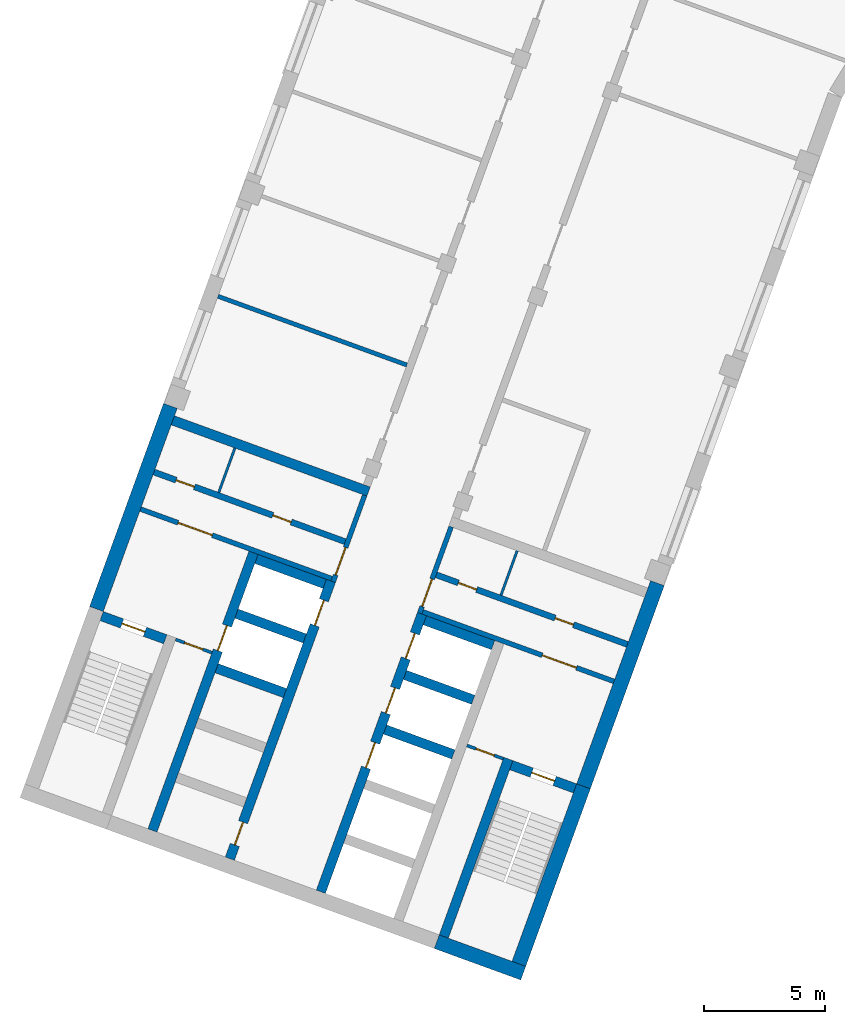
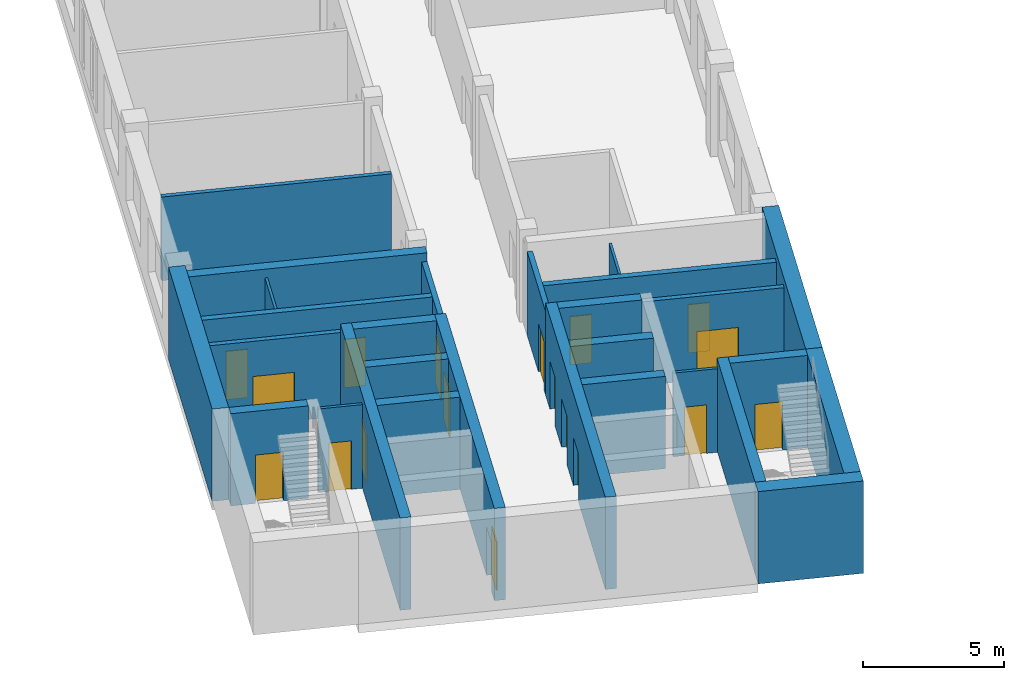
# One storey, part 4 of 11: 28 walls, 18 doors, 18 openings.
"""IFC4 building model written with IfcOpenShell, lengths in metres."""

from ifc_helpers import new_model, si_unit, direction, frame, frame_2d, origin, place, context, subcontext, project, spatial, rectangle, extrude, material, layer, layer_set, type_object, element, fill, save


model = new_model("IFC4")

# Units and contexts
model_context = context("Model", 3, precision=1e-05, world=origin(), true_north=direction((0.0, 1.0)))
body_context = subcontext(model_context, "Body", "Model", "MODEL_VIEW")
ifc_project = project(units=[si_unit("LENGTHUNIT", "METRE"), si_unit("AREAUNIT", "SQUARE_METRE"), si_unit("VOLUMEUNIT", "CUBIC_METRE"), si_unit("PLANEANGLEUNIT", "RADIAN"), si_unit("MASSUNIT", "GRAM", prefix="KILO")], contexts=[model_context])

# Site, building, storey
site_placement = place(None, origin())
site = spatial("IfcSite", under=ifc_project, at=site_placement, CompositionType="ELEMENT")
building_placement = place(site_placement, origin())
building = spatial("IfcBuilding", under=site, at=building_placement, Name="Skarvind Civic Tower", CompositionType="ELEMENT")
storey_placement = place(building_placement, frame((0.0, 0.0, 113.0)))
storey = spatial("IfcBuildingStorey", under=building, at=storey_placement, Name="L26", CompositionType="ELEMENT", Elevation=113.0)

# Wall
ifc_material_1 = material(Name="Acoustic gypsum board on steel studs", Category="steel")
ifc_layer_1 = layer(ifc_material_1, 0.175048828125)
ifc_layer_set_1 = layer_set([ifc_layer_1], Name="ACOUSTIC MEETING-ROOM PARTITION 175")
wall_type_1 = type_object("IfcWallType", Name="ACOUSTIC MEETING-ROOM PARTITION 175", PredefinedType="PARTITIONING", material=ifc_layer_set_1)
wall_1_placement = place(storey_placement, frame((26.736083984375, 105.47998046875, 0.0), z_axis=(0.0, 0.0, 1.0), x_axis=(0.93969376504, -0.342016999496, 0.0)))
element("IfcWall", 1, at=wall_1_placement, inside=storey, type_object=wall_type_1, Name="Partition 26.001", PredefinedType="PARTITIONING", context=body_context, shape_type="SweptSolid", body=[
    extrude(rectangle(XDim=8.30029296875, YDim=0.175048828125, at=frame_2d((4.150146484375, 0.0))), origin(), (0.0, 0.0, 1.0), 3.625),
])

# Wall, opening, door
ifc_material_2 = material(Name="Fire-rated masonry partition", Category="masonry")
ifc_layer_2 = layer(ifc_material_2, 0.199951171875)
ifc_layer_set_2 = layer_set([ifc_layer_2], Name="Core enclosure wall 200")
wall_type_2 = type_object("IfcWallType", Name="Core enclosure wall 200", PredefinedType="PARTITIONING", material=ifc_layer_set_2)
wall_2_placement = place(storey_placement, frame((31.491455078125, 93.693359375, 0.0), z_axis=(0.0, 0.0, 1.0), x_axis=(0.341995824804, 0.939701471648, 0.0)))
wall_2 = element("IfcWall", 2, at=wall_2_placement, inside=storey, type_object=wall_type_2, Name="Core wall C2", PredefinedType="PARTITIONING", context=body_context, shape_type="SweptSolid", body=[
    extrude(rectangle(XDim=3.800048828125, YDim=0.199951171875, at=frame_2d((1.89990234375, 0.0))), origin(), (0.0, 0.0, 1.0), 3.625),
])
opening_1_placement = place(wall_2_placement, frame((0.300048828125, 0.0, 0.0)))
opening_1 = element("IfcOpeningElement", 3, at=opening_1_placement, cuts=wall_2, Name="Opening D-L26-C2-06", PredefinedType="OPENING", context=body_context, shape_type="SweptSolid", body=[
    extrude(rectangle(XDim=1.199951171875, YDim=2.10009765625, at=frame_2d((0.60009765625, 1.050048828125))), frame((0.0, 0.10986328125, 0.0), z_axis=(0.0, -1.0, 0.0), x_axis=(1.0, 0.0, 0.0)), (0.0, 0.0, 1.0), 0.219970703125),
])
ifc_material_3 = material(Name="Fire-rated steel door", Category="steel")
door_type_1 = type_object("IfcDoorType", Name="Core lobby door 1200", OperationType="NOTDEFINED", PredefinedType="DOOR", material=ifc_material_3)
door_1_placement = place(opening_1_placement, origin())
door_1 = element("IfcDoor", 4, at=door_1_placement, inside=storey, type_object=door_type_1, Name="Fire door", OperationType="DOUBLE_DOOR_SINGLE_SWING", OverallHeight=2.10009765625, OverallWidth=1.199951171875, PredefinedType="DOOR", context=body_context, shape_type="SweptSolid", body=[
    extrude(rectangle(XDim=1.199951171875, YDim=2.10009765625, at=frame_2d((0.60009765625, 1.050048828125))), frame((0.0, 0.02490234375, 0.0), z_axis=(0.0, -1.0, 0.0), x_axis=(1.0, 0.0, 0.0)), (0.0, 0.0, 1.0), 0.050048828125),
])
fill(opening_1, door_1)

wall_3_placement = place(storey_placement, frame((23.5380859375, 96.6943359375, 0.0), z_axis=(0.0, 0.0, 1.0), x_axis=(0.939691552312, -0.342023078919, 0.0)))
wall_3 = element("IfcWall", 5, at=wall_3_placement, inside=storey, type_object=wall_type_2, Name="Core wall C2", PredefinedType="PARTITIONING", context=body_context, shape_type="SweptSolid", body=[
    extrude(rectangle(XDim=8.400146484375, YDim=0.199951171875, at=frame_2d((4.2001953125, 0.0))), origin(), (0.0, 0.0, 1.0), 3.625),
])
opening_2_placement = place(wall_3_placement, frame((1.64990234375, 0.0, 0.0)))
opening_2 = element("IfcOpeningElement", 6, at=opening_2_placement, cuts=wall_3, Name="Opening D-L26-C2-07", PredefinedType="OPENING", context=body_context, shape_type="SweptSolid", body=[
    extrude(rectangle(XDim=1.5, YDim=2.10009765625, at=frame_2d((0.75, 1.050048828125))), frame((0.0, 0.10986328125, 0.0), z_axis=(0.0, -1.0, 0.0), x_axis=(1.0, 0.0, 0.0)), (0.0, 0.0, 1.0), 0.219970703125),
])
door_type_2 = type_object("IfcDoorType", Name="Fire door 1500", OperationType="NOTDEFINED", PredefinedType="DOOR", material=ifc_material_3)
door_2_placement = place(opening_2_placement, origin())
door_2 = element("IfcDoor", 7, at=door_2_placement, inside=storey, type_object=door_type_2, Name="Fire door", OperationType="DOUBLE_DOOR_SINGLE_SWING", OverallHeight=2.10009765625, OverallWidth=1.5, PredefinedType="DOOR", context=body_context, shape_type="SweptSolid", body=[
    extrude(rectangle(XDim=1.5, YDim=2.10009765625, at=frame_2d((0.75, 1.050048828125))), frame((0.0, 0.02490234375, 0.0), z_axis=(0.0, -1.0, 0.0), x_axis=(1.0, 0.0, 0.0)), (0.0, 0.0, 1.0), 0.050048828125),
])
fill(opening_2, door_2)

wall_4_placement = place(storey_placement, frame((36.36181640625, 95.96435546875, 0.0), z_axis=(0.0, 0.0, 1.0), x_axis=(-0.341995824804, -0.939701471648, 0.0)))
wall_4 = element("IfcWall", 8, at=wall_4_placement, inside=storey, type_object=wall_type_2, Name="Core wall C2", PredefinedType="PARTITIONING", context=body_context, shape_type="SweptSolid", body=[
    extrude(rectangle(XDim=3.800048828125, YDim=0.199951171875, at=frame_2d((1.89990234375, 0.0))), origin(), (0.0, 0.0, 1.0), 3.625),
])
opening_3_placement = place(wall_4_placement, frame((2.300048828125, 0.0, 0.0)))
opening_3 = element("IfcOpeningElement", 9, at=opening_3_placement, cuts=wall_4, Name="Opening D-L26-C2-12", PredefinedType="OPENING", context=body_context, shape_type="SweptSolid", body=[
    extrude(rectangle(XDim=1.199951171875, YDim=2.10009765625, at=frame_2d((0.60009765625, 1.050048828125))), frame((0.0, 0.10986328125, 0.0), z_axis=(0.0, -1.0, 0.0), x_axis=(1.0, 0.0, 0.0)), (0.0, 0.0, 1.0), 0.219970703125),
])
door_3_placement = place(opening_3_placement, origin())
door_3 = element("IfcDoor", 10, at=door_3_placement, inside=storey, type_object=door_type_1, Name="Fire door", OperationType="DOUBLE_DOOR_SINGLE_SWING", OverallHeight=2.10009765625, OverallWidth=1.199951171875, PredefinedType="DOOR", context=body_context, shape_type="SweptSolid", body=[
    extrude(rectangle(XDim=1.199951171875, YDim=2.10009765625, at=frame_2d((0.60009765625, 1.050048828125))), frame((0.0, 0.02490234375, 0.0), z_axis=(0.0, -1.0, 0.0), x_axis=(1.0, 0.0, 0.0)), (0.0, 0.0, 1.0), 0.050048828125),
])
fill(opening_3, door_3)

wall_5_placement = place(storey_placement, frame((35.1904296875, 92.453369140625, 0.0), z_axis=(0.0, 0.0, 1.0), x_axis=(0.939691552312, -0.342023078919, 0.0)))
wall_5 = element("IfcWall", 11, at=wall_5_placement, inside=storey, type_object=wall_type_2, Name="Core wall C2", PredefinedType="PARTITIONING", context=body_context, shape_type="SweptSolid", body=[
    extrude(rectangle(XDim=8.400146484375, YDim=0.199951171875, at=frame_2d((4.2001953125, 0.0))), origin(), (0.0, 0.0, 1.0), 3.625),
])
opening_4_placement = place(wall_5_placement, frame((5.25, 0.0, 0.0)))
opening_4 = element("IfcOpeningElement", 12, at=opening_4_placement, cuts=wall_5, Name="Opening D-L26-C2-13", PredefinedType="OPENING", context=body_context, shape_type="SweptSolid", body=[
    extrude(rectangle(XDim=1.5, YDim=2.10009765625, at=frame_2d((0.75, 1.050048828125))), frame((0.0, 0.10986328125, 0.0), z_axis=(0.0, -1.0, 0.0), x_axis=(1.0, 0.0, 0.0)), (0.0, 0.0, 1.0), 0.219970703125),
])
door_4_placement = place(opening_4_placement, origin())
door_4 = element("IfcDoor", 13, at=door_4_placement, inside=storey, type_object=door_type_2, Name="Fire door", OperationType="DOUBLE_DOOR_SINGLE_SWING", OverallHeight=2.10009765625, OverallWidth=1.5, PredefinedType="DOOR", context=body_context, shape_type="SweptSolid", body=[
    extrude(rectangle(XDim=1.5, YDim=2.10009765625, at=frame_2d((0.75, 1.050048828125))), frame((0.0, 0.02490234375, 0.0), z_axis=(0.0, -1.0, 0.0), x_axis=(1.0, 0.0, 0.0)), (0.0, 0.0, 1.0), 0.050048828125),
])
fill(opening_4, door_4)

# Walls
ifc_material_4 = material(Name="Fire-rated plasterboard partition")
ifc_layer_3 = layer(ifc_material_4, 0.10009765625)
ifc_layer_set_3 = layer_set([ifc_layer_3], Name="Core partition wall 100")
wall_type_3 = type_object("IfcWallType", Name="Core partition wall 100", PredefinedType="PARTITIONING", material=ifc_layer_set_3)
for number, where, z_axis, x_axis, name in (
    (14, (26.767822265625, 97.381103515625, 0.0), (0.0, 0.0, 1.0), (0.342024501273, 0.939691034611, 0.0), "Core wall C2"),
    (15, (39.087158203125, 94.97265625, 0.0), (0.0, 0.0, 1.0), (-0.342024501273, -0.939691034611, 0.0), "Core wall C2"),
):
    element("IfcWall", number, at=place(storey_placement, frame(where, z_axis=z_axis, x_axis=x_axis)), inside=storey, type_object=wall_type_3, Name=name, PredefinedType="PARTITIONING", context=body_context, shape_type="SweptSolid", body=[
        extrude(rectangle(XDim=1.9501953125, YDim=0.10009765625, at=frame_2d((0.97509765625, 0.0))), origin(), (0.0, 0.0, 1.0), 3.625),
    ])
ifc_material_5 = material(Name="Concrete C80", Category="concrete")
ifc_layer_4 = layer(ifc_material_5, 0.39990234375)
ifc_layer_set_4 = layer_set([ifc_layer_4], Name="Core wall 400 C80")
wall_type_4 = type_object("IfcWallType", Name="Core wall 400 C80", PredefinedType="SHEAR", material=ifc_layer_set_4)
wall_6_placement = place(storey_placement, frame((36.057861328125, 79.04833984375, 0.0), z_axis=(0.0, 0.0, 1.0), x_axis=(0.342016982193, 0.939693771338, 0.0)))
element("IfcWall", 16, at=wall_6_placement, inside=storey, type_object=wall_type_4, Name="Core wall C2 south stair inner L26", PredefinedType="SHEAR", context=body_context, shape_type="SweptSolid", body=[
    extrude(rectangle(XDim=7.800048828125, YDim=0.39990234375, at=frame_2d((3.89990234375, 0.0))), origin(), (0.0, 0.0, 1.0), 4.0),
])

# Wall, opening, door
wall_7_placement = place(storey_placement, frame((41.476318359375, 85.163818359375, 0.0), z_axis=(0.0, 0.0, 1.0), x_axis=(-0.939678810556, 0.342058084236, 0.0)))
wall_7 = element("IfcWall", 17, at=wall_7_placement, inside=storey, type_object=wall_type_4, Name="Core wall C2 south stair end L26", PredefinedType="SHEAR", context=body_context, shape_type="SweptSolid", body=[
    extrude(rectangle(XDim=2.800048828125, YDim=0.39990234375, at=frame_2d((1.39990234375, 0.0))), origin(), (0.0, 0.0, 1.0), 4.0),
])
opening_5_placement = place(wall_7_placement, frame((0.89990234375, 0.0, 0.0)))
opening_5 = element("IfcOpeningElement", 18, at=opening_5_placement, cuts=wall_7, Name="Opening D-L26-C2-14", PredefinedType="OPENING", context=body_context, shape_type="SweptSolid", body=[
    extrude(rectangle(XDim=1.0, YDim=2.10009765625, at=frame_2d((0.5, 1.050048828125))), frame((0.0, 0.2099609375, 0.0), z_axis=(0.0, -1.0, 0.0), x_axis=(1.0, 0.0, 0.0)), (0.0, 0.0, 1.0), 0.419921875),
])
door_type_3 = type_object("IfcDoorType", Name="Fire door 1000", OperationType="NOTDEFINED", PredefinedType="DOOR", material=ifc_material_3)
door_5_placement = place(opening_5_placement, origin())
door_5 = element("IfcDoor", 19, at=door_5_placement, inside=storey, type_object=door_type_3, Name="Fire door", OperationType="SINGLE_SWING_RIGHT", OverallHeight=2.10009765625, OverallWidth=1.0, PredefinedType="DOOR", context=body_context, shape_type="SweptSolid", body=[
    extrude(rectangle(XDim=1.0, YDim=2.10009765625, at=frame_2d((0.5, 1.050048828125))), frame((0.0, 0.02490234375, 0.0), z_axis=(0.0, -1.0, 0.0), x_axis=(1.0, 0.0, 0.0)), (0.0, 0.0, 1.0), 0.050048828125),
])
fill(opening_5, door_5)

wall_8_placement = place(storey_placement, frame((24.56201171875, 91.3203125, 0.0), z_axis=(0.0, 0.0, 1.0), x_axis=(-0.939717030584, 0.341953070509, 0.0)))
wall_8 = element("IfcWall", 20, at=wall_8_placement, inside=storey, type_object=wall_type_4, Name="Core wall C2 north stair end L26", PredefinedType="SHEAR", context=body_context, shape_type="SweptSolid", body=[
    extrude(rectangle(XDim=2.800048828125, YDim=0.39990234375, at=frame_2d((1.39990234375, 0.0))), origin(), (0.0, 0.0, 1.0), 4.0),
])
opening_6_placement = place(wall_8_placement, frame((0.89990234375, 0.0, 0.0)))
opening_6 = element("IfcOpeningElement", 21, at=opening_6_placement, cuts=wall_8, Name="Opening D-L26-C2-08", PredefinedType="OPENING", context=body_context, shape_type="SweptSolid", body=[
    extrude(rectangle(XDim=1.0, YDim=2.10009765625, at=frame_2d((0.5, 1.050048828125))), frame((0.0, 0.2099609375, 0.0), z_axis=(0.0, -1.0, 0.0), x_axis=(1.0, 0.0, 0.0)), (0.0, 0.0, 1.0), 0.419921875),
])
door_6_placement = place(opening_6_placement, origin())
door_6 = element("IfcDoor", 22, at=door_6_placement, inside=storey, type_object=door_type_3, Name="Fire door", OperationType="SINGLE_SWING_LEFT", OverallHeight=2.10009765625, OverallWidth=1.0, PredefinedType="DOOR", context=body_context, shape_type="SweptSolid", body=[
    extrude(rectangle(XDim=1.0, YDim=2.10009765625, at=frame_2d((0.5, 1.050048828125))), frame((0.0, 0.02490234375, 0.0), z_axis=(0.0, -1.0, 0.0), x_axis=(1.0, 0.0, 0.0)), (0.0, 0.0, 1.0), 0.050048828125),
])
fill(opening_6, door_6)

# Wall, openings, doors
wall_9_placement = place(storey_placement, frame((30.983642578125, 80.895263671875, 0.0), z_axis=(0.0, 0.0, 1.0), x_axis=(0.342021021735, 0.939692301071, 0.0)))
wall_9 = element("IfcWall", 23, at=wall_9_placement, inside=storey, type_object=wall_type_4, Name="Core wall C2 south lift row front L26", PredefinedType="SHEAR", context=body_context, shape_type="SweptSolid", body=[
    extrude(rectangle(XDim=12.199951171875, YDim=0.39990234375, at=frame_2d((6.10009765625, 0.0))), origin(), (0.0, 0.0, 1.0), 4.0),
])
opening_7_placement = place(wall_9_placement, frame((5.449951171875, 0.0, 0.0)))
opening_7 = element("IfcOpeningElement", 24, at=opening_7_placement, cuts=wall_9, Name="Opening LD28208", PredefinedType="OPENING", context=body_context, shape_type="SweptSolid", body=[
    extrude(rectangle(XDim=1.10009765625, YDim=2.10009765625, at=frame_2d((0.550048828125, 1.050048828125))), frame((0.0, 0.2099609375, 0.0), z_axis=(0.0, -1.0, 0.0), x_axis=(1.0, 0.0, 0.0)), (0.0, 0.0, 1.0), 0.419921875),
])
opening_8_placement = place(wall_9_placement, frame((7.85009765625, 0.0, 0.0)))
opening_8 = element("IfcOpeningElement", 25, at=opening_8_placement, cuts=wall_9, Name="Opening LD28209", PredefinedType="OPENING", context=body_context, shape_type="SweptSolid", body=[
    extrude(rectangle(XDim=1.10009765625, YDim=2.10009765625, at=frame_2d((0.550048828125, 1.050048828125))), frame((0.0, 0.2099609375, 0.0), z_axis=(0.0, -1.0, 0.0), x_axis=(1.0, 0.0, 0.0)), (0.0, 0.0, 1.0), 0.419921875),
])
opening_9_placement = place(wall_9_placement, frame((10.25, 0.0, 0.0)))
opening_9 = element("IfcOpeningElement", 26, at=opening_9_placement, cuts=wall_9, Name="Opening LD28210", PredefinedType="OPENING", context=body_context, shape_type="SweptSolid", body=[
    extrude(rectangle(XDim=1.10009765625, YDim=2.10009765625, at=frame_2d((0.550048828125, 1.050048828125))), frame((0.0, 0.2099609375, 0.0), z_axis=(0.0, -1.0, 0.0), x_axis=(1.0, 0.0, 0.0)), (0.0, 0.0, 1.0), 0.419921875),
])
ifc_material_6 = material(Name="Stainless steel landing door", Category="steel")
door_type_4 = type_object("IfcDoorType", Name="Lift landing door 1100", OperationType="DOUBLE_DOOR_SLIDING", PredefinedType="DOOR", material=ifc_material_6)
door_7_placement = place(opening_7_placement, origin())
door_7 = element("IfcDoor", 27, at=door_7_placement, inside=storey, type_object=door_type_4, Name="Lift landing door", OperationType="DOUBLE_DOOR_SLIDING", OverallHeight=2.10009765625, OverallWidth=1.10009765625, PredefinedType="DOOR", context=body_context, shape_type="SweptSolid", body=[
    extrude(rectangle(XDim=1.10009765625, YDim=2.10009765625, at=frame_2d((0.550048828125, 1.050048828125))), frame((0.0, 0.02490234375, 0.0), z_axis=(0.0, -1.0, 0.0), x_axis=(1.0, 0.0, 0.0)), (0.0, 0.0, 1.0), 0.050048828125),
])
fill(opening_7, door_7)
door_8_placement = place(opening_8_placement, origin())
door_8 = element("IfcDoor", 28, at=door_8_placement, inside=storey, type_object=door_type_4, Name="Lift landing door", OperationType="DOUBLE_DOOR_SLIDING", OverallHeight=2.10009765625, OverallWidth=1.10009765625, PredefinedType="DOOR", context=body_context, shape_type="SweptSolid", body=[
    extrude(rectangle(XDim=1.10009765625, YDim=2.10009765625, at=frame_2d((0.550048828125, 1.050048828125))), frame((0.0, 0.02490234375, 0.0), z_axis=(0.0, -1.0, 0.0), x_axis=(1.0, 0.0, 0.0)), (0.0, 0.0, 1.0), 0.050048828125),
])
fill(opening_8, door_8)
door_9_placement = place(opening_9_placement, origin())
door_9 = element("IfcDoor", 29, at=door_9_placement, inside=storey, type_object=door_type_4, Name="Lift landing door", OperationType="DOUBLE_DOOR_SLIDING", OverallHeight=2.10009765625, OverallWidth=1.10009765625, PredefinedType="DOOR", context=body_context, shape_type="SweptSolid", body=[
    extrude(rectangle(XDim=1.10009765625, YDim=2.10009765625, at=frame_2d((0.550048828125, 1.050048828125))), frame((0.0, 0.02490234375, 0.0), z_axis=(0.0, -1.0, 0.0), x_axis=(1.0, 0.0, 0.0)), (0.0, 0.0, 1.0), 0.050048828125),
])
fill(opening_9, door_9)

# Walls
for number, where, z_axis, x_axis, name in (
    (30, (36.453125, 86.56640625, 0.0), (0.0, 0.0, 1.0), (-0.939686455819, 0.342037080957, 0.0), "Core wall C2 south lift row division 3 L26"),
    (31, (37.27392578125, 88.82177734375, 0.0), (0.0, 0.0, 1.0), (-0.939686455819, 0.342037080957, 0.0), "Core wall C2 south lift row division 4 L26"),
):
    element("IfcWall", number, at=place(storey_placement, frame(where, z_axis=z_axis, x_axis=x_axis)), inside=storey, type_object=wall_type_4, Name=name, PredefinedType="SHEAR", context=body_context, shape_type="SweptSolid", body=[
        extrude(rectangle(XDim=3.0, YDim=0.39990234375, at=frame_2d((1.5, 0.0))), origin(), (0.0, 0.0, 1.0), 4.0),
    ])
wall_10_placement = place(storey_placement, frame((38.0947265625, 91.076904296875, 0.0), z_axis=(0.0, 0.0, 1.0), x_axis=(-0.939676934218, 0.342063238742, 0.0)))
element("IfcWall", 32, at=wall_10_placement, inside=storey, type_object=wall_type_4, Name="Core wall C2 south lift row division 5 L26", PredefinedType="SHEAR", context=body_context, shape_type="SweptSolid", body=[
    extrude(rectangle(XDim=2.999755859375, YDim=0.39990234375, at=frame_2d((1.5, 0.0))), origin(), (0.0, 0.0, 1.0), 4.0),
])

# Wall, openings, doors
wall_11_placement = place(storey_placement, frame((27.224853515625, 82.26318359375, 0.0), z_axis=(0.0, 0.0, 1.0), x_axis=(0.342014590177, 0.939694641948, 0.0)))
wall_11 = element("IfcWall", 33, at=wall_11_placement, inside=storey, type_object=wall_type_4, Name="Core wall C2 north lift row front L26", PredefinedType="SHEAR", context=body_context, shape_type="SweptSolid", body=[
    extrude(rectangle(XDim=12.2001953125, YDim=0.39990234375, at=frame_2d((6.10009765625, 0.0))), origin(), (0.0, 0.0, 1.0), 4.0),
])
opening_10_placement = place(wall_11_placement, frame((10.25, 0.0, 0.0)))
opening_10 = element("IfcOpeningElement", 34, at=opening_10_placement, cuts=wall_11, Name="Opening LD28205", PredefinedType="OPENING", context=body_context, shape_type="SweptSolid", body=[
    extrude(rectangle(XDim=1.10009765625, YDim=2.10009765625, at=frame_2d((0.550048828125, 1.050048828125))), frame((0.0, 0.2099609375, 0.0), z_axis=(0.0, -1.0, 0.0), x_axis=(1.0, 0.0, 0.0)), (0.0, 0.0, 1.0), 0.419921875),
])
opening_11_placement = place(wall_11_placement, frame((0.60009765625, 0.0, 0.0)))
opening_11 = element("IfcOpeningElement", 35, at=opening_11_placement, cuts=wall_11, Name="Opening D-L26-C2-05", PredefinedType="OPENING", context=body_context, shape_type="SweptSolid", body=[
    extrude(rectangle(XDim=1.0, YDim=2.10009765625, at=frame_2d((0.5, 1.050048828125))), frame((0.0, 0.2099609375, 0.0), z_axis=(0.0, -1.0, 0.0), x_axis=(1.0, 0.0, 0.0)), (0.0, 0.0, 1.0), 0.419921875),
])
door_10_placement = place(opening_11_placement, origin())
door_10 = element("IfcDoor", 36, at=door_10_placement, inside=storey, type_object=door_type_3, Name="Fire door", OperationType="SINGLE_SWING_LEFT", OverallHeight=2.10009765625, OverallWidth=1.0, PredefinedType="DOOR", context=body_context, shape_type="SweptSolid", body=[
    extrude(rectangle(XDim=1.0, YDim=2.10009765625, at=frame_2d((0.5, 1.050048828125))), frame((0.0, 0.02490234375, 0.0), z_axis=(0.0, -1.0, 0.0), x_axis=(1.0, 0.0, 0.0)), (0.0, 0.0, 1.0), 0.050048828125),
])
fill(opening_11, door_10)
door_11_placement = place(opening_10_placement, origin())
door_11 = element("IfcDoor", 37, at=door_11_placement, inside=storey, type_object=door_type_4, Name="Lift landing door", OperationType="DOUBLE_DOOR_SLIDING", OverallHeight=2.10009765625, OverallWidth=1.10009765625, PredefinedType="DOOR", context=body_context, shape_type="SweptSolid", body=[
    extrude(rectangle(XDim=1.10009765625, YDim=2.10009765625, at=frame_2d((0.550048828125, 1.050048828125))), frame((0.0, 0.02490234375, 0.0), z_axis=(0.0, -1.0, 0.0), x_axis=(1.0, 0.0, 0.0)), (0.0, 0.0, 1.0), 0.050048828125),
])
fill(opening_10, door_11)

# Wall, opening, door
wall_12_placement = place(storey_placement, frame((24.02978515625, 83.426025390625, 0.0), z_axis=(0.0, 0.0, 1.0), x_axis=(0.342014590177, 0.939694641948, 0.0)))
wall_12 = element("IfcWall", 38, at=wall_12_placement, inside=storey, type_object=wall_type_4, Name="Core wall C2 north lift row back L26", PredefinedType="SHEAR", context=body_context, shape_type="SweptSolid", body=[
    extrude(rectangle(XDim=12.2001953125, YDim=0.39990234375, at=frame_2d((6.10009765625, 0.0))), origin(), (0.0, 0.0, 1.0), 4.0),
])
opening_12_placement = place(wall_12_placement, frame((7.89990234375, 0.0, 0.0)))
opening_12 = element("IfcOpeningElement", 39, at=opening_12_placement, cuts=wall_12, Name="Opening LD28204", PredefinedType="OPENING", context=body_context, shape_type="SweptSolid", body=[
    extrude(rectangle(XDim=1.10009765625, YDim=2.10009765625, at=frame_2d((0.550048828125, 1.050048828125))), frame((0.0, 0.2099609375, 0.0), z_axis=(0.0, -1.0, 0.0), x_axis=(1.0, 0.0, 0.0)), (0.0, 0.0, 1.0), 0.419921875),
])
door_12_placement = place(opening_12_placement, origin())
door_12 = element("IfcDoor", 40, at=door_12_placement, inside=storey, type_object=door_type_4, Name="Lift landing door", OperationType="DOUBLE_DOOR_SLIDING", OverallHeight=2.10009765625, OverallWidth=1.10009765625, PredefinedType="DOOR", context=body_context, shape_type="SweptSolid", body=[
    extrude(rectangle(XDim=1.10009765625, YDim=2.10009765625, at=frame_2d((0.550048828125, 1.050048828125))), frame((0.0, 0.02490234375, 0.0), z_axis=(0.0, -1.0, 0.0), x_axis=(1.0, 0.0, 0.0)), (0.0, 0.0, 1.0), 0.050048828125),
])
fill(opening_12, door_12)

# Walls
for number, where, z_axis, x_axis, name in (
    (41, (29.49951171875, 89.097412109375, 0.0), (0.0, 0.0, 1.0), (-0.939686455819, 0.342037080957, 0.0), "Core wall C2 north lift row division 3 L26"),
    (42, (30.3203125, 91.352783203125, 0.0), (0.0, 0.0, 1.0), (-0.939712609717, 0.341965219194, 0.0), "Core wall C2 north lift row division 4 L26"),
    (43, (31.14111328125, 93.60791015625, 0.0), (0.0, 0.0, 1.0), (-0.939686455819, 0.342037080957, 0.0), "Core wall C2 north lift row division 5 L26"),
):
    element("IfcWall", number, at=place(storey_placement, frame(where, z_axis=z_axis, x_axis=x_axis)), inside=storey, type_object=wall_type_4, Name=name, PredefinedType="SHEAR", context=body_context, shape_type="SweptSolid", body=[
        extrude(rectangle(XDim=3.0, YDim=0.39990234375, at=frame_2d((1.5, 0.0))), origin(), (0.0, 0.0, 1.0), 4.0),
    ])
wall_13_placement = place(storey_placement, frame((32.953369140625, 97.417724609375, 0.0), z_axis=(0.0, 0.0, 1.0), x_axis=(-0.93969060187, 0.342025690201, 0.0)))
element("IfcWall", 44, at=wall_13_placement, inside=storey, type_object=wall_type_4, Name="Core wall C2 north inner face L26", PredefinedType="SHEAR", context=body_context, shape_type="SweptSolid", body=[
    extrude(rectangle(XDim=8.599853515625, YDim=0.39990234375, at=frame_2d((4.2998046875, 0.0))), origin(), (0.0, 0.0, 1.0), 4.0),
])
ifc_layer_5 = layer(ifc_material_5, 0.60009765625)
ifc_layer_set_5 = layer_set([ifc_layer_5], Name="Core wall 600 C80")
wall_type_5 = type_object("IfcWallType", Name="Core wall 600 C80", PredefinedType="SHEAR", material=ifc_layer_set_5)
wall_14_placement = place(storey_placement, frame((39.338134765625, 77.53515625, 0.0), z_axis=(0.0, 0.0, 1.0), x_axis=(-0.939701471648, 0.341995824804, 0.0)))
element("IfcWall", 45, at=wall_14_placement, inside=storey, type_object=wall_type_5, Name="Core wall C2 tip at the south stair L26", PredefinedType="SHEAR", context=body_context, shape_type="SweptSolid", body=[
    extrude(rectangle(XDim=3.800048828125, YDim=0.60009765625, at=frame_2d((1.89990234375, 0.0))), origin(), (0.0, 0.0, 1.0), 4.0),
])
wall_15_placement = place(storey_placement, frame((39.158935546875, 77.919677734375, 0.0), z_axis=(0.0, 0.0, 1.0), x_axis=(0.342016982193, 0.939693771338, 0.0)))
element("IfcWall", 46, at=wall_15_placement, inside=storey, type_object=wall_type_5, Name="Core wall C2 south side at the stair L26", PredefinedType="SHEAR", context=body_context, shape_type="SweptSolid", body=[
    extrude(rectangle(XDim=7.800048828125, YDim=0.60009765625, at=frame_2d((3.89990234375, 0.0))), origin(), (0.0, 0.0, 1.0), 4.0),
])
for number, where, z_axis, x_axis, name in (
    (47, (41.82666015625, 85.249267578125, 0.0), (0.0, 0.0, 1.0), (0.342017595281, 0.939693548195, 0.0), "Core wall C2 south side L26"),
    (48, (21.71728515625, 92.568359375, 0.0), (0.0, 0.0, 1.0), (0.342017595281, 0.939693548195, 0.0), "Core wall C2 north side L26"),
):
    element("IfcWall", number, at=place(storey_placement, frame(where, z_axis=z_axis, x_axis=x_axis)), inside=storey, type_object=wall_type_5, Name=name, PredefinedType="SHEAR", context=body_context, shape_type="SweptSolid", body=[
        extrude(rectangle(XDim=8.925048828125, YDim=0.60009765625, at=frame_2d((4.46240234375, 0.0))), origin(), (0.0, 0.0, 1.0), 4.0),
    ])

# Wall, opening, door
ifc_layer_6 = layer(ifc_material_2, 0.125)
ifc_layer_set_6 = layer_set([ifc_layer_6], Name="Riser wall 125")
wall_type_6 = type_object("IfcWallType", Name="Riser wall 125", PredefinedType="PARTITIONING", material=ifc_layer_set_6)
wall_16_placement = place(storey_placement, frame((24.98486328125, 91.3125, 0.0), z_axis=(0.0, 0.0, 1.0), x_axis=(0.939708740826, -0.341975850632, 0.0)))
wall_16 = element("IfcWall", 49, at=wall_16_placement, inside=storey, type_object=wall_type_6, Name="Core wall C2", PredefinedType="PARTITIONING", context=body_context, shape_type="SweptSolid", body=[
    extrude(rectangle(XDim=1.599853515625, YDim=0.125, at=frame_2d((0.7998046875, 0.0))), origin(), (0.0, 0.0, 1.0), 3.625),
])
opening_13_placement = place(wall_16_placement, frame((0.39990234375, 0.0, 0.0)))
opening_13 = element("IfcOpeningElement", 50, at=opening_13_placement, cuts=wall_16, Name="Opening D-L26-C2-09", PredefinedType="OPENING", context=body_context, shape_type="SweptSolid", body=[
    extrude(rectangle(XDim=0.800048828125, YDim=2.10009765625, at=frame_2d((0.39990234375, 1.050048828125))), frame((0.0, 0.072509765625, 0.0), z_axis=(0.0, -1.0, 0.0), x_axis=(1.0, 0.0, 0.0)), (0.0, 0.0, 1.0), 0.14501953125),
])
door_type_5 = type_object("IfcDoorType", Name="Core riser door 800", OperationType="NOTDEFINED", PredefinedType="DOOR", material=ifc_material_3)
door_13_placement = place(opening_13_placement, origin())
door_13 = element("IfcDoor", 51, at=door_13_placement, inside=storey, type_object=door_type_5, Name="Riser door", OperationType="SINGLE_SWING_RIGHT", OverallHeight=2.10009765625, OverallWidth=0.800048828125, PredefinedType="DOOR", context=body_context, shape_type="SweptSolid", body=[
    extrude(rectangle(XDim=0.800048828125, YDim=2.10009765625, at=frame_2d((0.39990234375, 1.050048828125))), frame((0.0, 0.02490234375, 0.0), z_axis=(0.0, -1.0, 0.0), x_axis=(1.0, 0.0, 0.0)), (0.0, 0.0, 1.0), 0.050048828125),
])
fill(opening_13, door_13)

wall_17_placement = place(storey_placement, frame((37.012939453125, 86.934814453125, 0.0), z_axis=(0.0, 0.0, 1.0), x_axis=(0.939659694648, -0.342110593602, 0.0)))
wall_17 = element("IfcWall", 52, at=wall_17_placement, inside=storey, type_object=wall_type_6, Name="Core wall C2", PredefinedType="PARTITIONING", context=body_context, shape_type="SweptSolid", body=[
    extrude(rectangle(XDim=1.599853515625, YDim=0.125, at=frame_2d((0.7998046875, 0.0))), origin(), (0.0, 0.0, 1.0), 3.625),
])
opening_14_placement = place(wall_17_placement, frame((0.39990234375, 0.0, 0.0)))
opening_14 = element("IfcOpeningElement", 53, at=opening_14_placement, cuts=wall_17, Name="Opening D-L26-C2-15", PredefinedType="OPENING", context=body_context, shape_type="SweptSolid", body=[
    extrude(rectangle(XDim=0.800048828125, YDim=2.10009765625, at=frame_2d((0.39990234375, 1.050048828125))), frame((0.0, 0.072509765625, 0.0), z_axis=(0.0, -1.0, 0.0), x_axis=(1.0, 0.0, 0.0)), (0.0, 0.0, 1.0), 0.14501953125),
])
door_14_placement = place(opening_14_placement, origin())
door_14 = element("IfcDoor", 54, at=door_14_placement, inside=storey, type_object=door_type_5, Name="Riser door", OperationType="SINGLE_SWING_LEFT", OverallHeight=2.10009765625, OverallWidth=0.800048828125, PredefinedType="DOOR", context=body_context, shape_type="SweptSolid", body=[
    extrude(rectangle(XDim=0.800048828125, YDim=2.10009765625, at=frame_2d((0.39990234375, 1.050048828125))), frame((0.0, 0.02490234375, 0.0), z_axis=(0.0, -1.0, 0.0), x_axis=(1.0, 0.0, 0.0)), (0.0, 0.0, 1.0), 0.050048828125),
])
fill(opening_14, door_14)

# Wall, openings, doors
ifc_layer_7 = layer(ifc_material_2, 0.25)
ifc_layer_set_7 = layer_set([ifc_layer_7], Name="Service block wall 250")
wall_type_7 = type_object("IfcWallType", Name="Service block wall 250", PredefinedType="PARTITIONING", material=ifc_layer_set_7)
wall_18_placement = place(storey_placement, frame((24.093994140625, 98.221435546875, 0.0), z_axis=(0.0, 0.0, 1.0), x_axis=(0.939691552312, -0.342023078919, 0.0)))
wall_18 = element("IfcWall", 55, at=wall_18_placement, inside=storey, type_object=wall_type_7, Name="Core wall C2", PredefinedType="PARTITIONING", context=body_context, shape_type="SweptSolid", body=[
    extrude(rectangle(XDim=8.400146484375, YDim=0.25, at=frame_2d((4.2001953125, 0.0))), origin(), (0.0, 0.0, 1.0), 3.625),
])
opening_15_placement = place(wall_18_placement, frame((5.22509765625, 0.0, 0.0)))
opening_15 = element("IfcOpeningElement", 56, at=opening_15_placement, cuts=wall_18, Name="Opening D-L26-C2-10", PredefinedType="OPENING", context=body_context, shape_type="SweptSolid", body=[
    extrude(rectangle(XDim=0.800048828125, YDim=2.10009765625, at=frame_2d((0.39990234375, 1.050048828125))), frame((0.0, 0.135009765625, 0.0), z_axis=(0.0, -1.0, 0.0), x_axis=(1.0, 0.0, 0.0)), (0.0, 0.0, 1.0), 0.27001953125),
])
opening_16_placement = place(wall_18_placement, frame((0.97509765625, 0.0, 0.0)))
opening_16 = element("IfcOpeningElement", 57, at=opening_16_placement, cuts=wall_18, Name="Opening D-L26-C2-11", PredefinedType="OPENING", context=body_context, shape_type="SweptSolid", body=[
    extrude(rectangle(XDim=0.800048828125, YDim=2.10009765625, at=frame_2d((0.39990234375, 1.050048828125))), frame((0.0, 0.135009765625, 0.0), z_axis=(0.0, -1.0, 0.0), x_axis=(1.0, 0.0, 0.0)), (0.0, 0.0, 1.0), 0.27001953125),
])
door_15_placement = place(opening_15_placement, origin())
door_15 = element("IfcDoor", 58, at=door_15_placement, inside=storey, type_object=door_type_5, Name="Riser door", OperationType="SINGLE_SWING_LEFT", OverallHeight=2.10009765625, OverallWidth=0.800048828125, PredefinedType="DOOR", context=body_context, shape_type="SweptSolid", body=[
    extrude(rectangle(XDim=0.800048828125, YDim=2.10009765625, at=frame_2d((0.39990234375, 1.050048828125))), frame((0.0, 0.02490234375, 0.0), z_axis=(0.0, -1.0, 0.0), x_axis=(1.0, 0.0, 0.0)), (0.0, 0.0, 1.0), 0.050048828125),
])
fill(opening_15, door_15)
door_16_placement = place(opening_16_placement, origin())
door_16 = element("IfcDoor", 59, at=door_16_placement, inside=storey, type_object=door_type_5, Name="Riser door", OperationType="SINGLE_SWING_RIGHT", OverallHeight=2.10009765625, OverallWidth=0.800048828125, PredefinedType="DOOR", context=body_context, shape_type="SweptSolid", body=[
    extrude(rectangle(XDim=0.800048828125, YDim=2.10009765625, at=frame_2d((0.39990234375, 1.050048828125))), frame((0.0, 0.02490234375, 0.0), z_axis=(0.0, -1.0, 0.0), x_axis=(1.0, 0.0, 0.0)), (0.0, 0.0, 1.0), 0.050048828125),
])
fill(opening_16, door_16)

wall_19_placement = place(storey_placement, frame((35.74609375, 93.98046875, 0.0), z_axis=(0.0, 0.0, 1.0), x_axis=(0.939691552312, -0.342023078919, 0.0)))
wall_19 = element("IfcWall", 60, at=wall_19_placement, inside=storey, type_object=wall_type_7, Name="Core wall C2", PredefinedType="PARTITIONING", context=body_context, shape_type="SweptSolid", body=[
    extrude(rectangle(XDim=8.400146484375, YDim=0.25, at=frame_2d((4.2001953125, 0.0))), origin(), (0.0, 0.0, 1.0), 3.625),
])
opening_17_placement = place(wall_19_placement, frame((0.97509765625, 0.0, 0.0)))
opening_17 = element("IfcOpeningElement", 61, at=opening_17_placement, cuts=wall_19, Name="Opening D-L26-C2-16", PredefinedType="OPENING", context=body_context, shape_type="SweptSolid", body=[
    extrude(rectangle(XDim=0.800048828125, YDim=2.10009765625, at=frame_2d((0.39990234375, 1.050048828125))), frame((0.0, 0.135009765625, 0.0), z_axis=(0.0, -1.0, 0.0), x_axis=(1.0, 0.0, 0.0)), (0.0, 0.0, 1.0), 0.27001953125),
])
opening_18_placement = place(wall_19_placement, frame((5.22509765625, 0.0, 0.0)))
opening_18 = element("IfcOpeningElement", 62, at=opening_18_placement, cuts=wall_19, Name="Opening D-L26-C2-17", PredefinedType="OPENING", context=body_context, shape_type="SweptSolid", body=[
    extrude(rectangle(XDim=0.800048828125, YDim=2.10009765625, at=frame_2d((0.39990234375, 1.050048828125))), frame((0.0, 0.135009765625, 0.0), z_axis=(0.0, -1.0, 0.0), x_axis=(1.0, 0.0, 0.0)), (0.0, 0.0, 1.0), 0.27001953125),
])
door_17_placement = place(opening_17_placement, origin())
door_17 = element("IfcDoor", 63, at=door_17_placement, inside=storey, type_object=door_type_5, Name="Riser door", OperationType="SINGLE_SWING_RIGHT", OverallHeight=2.10009765625, OverallWidth=0.800048828125, PredefinedType="DOOR", context=body_context, shape_type="SweptSolid", body=[
    extrude(rectangle(XDim=0.800048828125, YDim=2.10009765625, at=frame_2d((0.39990234375, 1.050048828125))), frame((0.0, 0.02490234375, 0.0), z_axis=(0.0, -1.0, 0.0), x_axis=(1.0, 0.0, 0.0)), (0.0, 0.0, 1.0), 0.050048828125),
])
fill(opening_17, door_17)
door_18_placement = place(opening_18_placement, origin())
door_18 = element("IfcDoor", 64, at=door_18_placement, inside=storey, type_object=door_type_5, Name="Riser door", OperationType="SINGLE_SWING_LEFT", OverallHeight=2.10009765625, OverallWidth=0.800048828125, PredefinedType="DOOR", context=body_context, shape_type="SweptSolid", body=[
    extrude(rectangle(XDim=0.800048828125, YDim=2.10009765625, at=frame_2d((0.39990234375, 1.050048828125))), frame((0.0, 0.02490234375, 0.0), z_axis=(0.0, -1.0, 0.0), x_axis=(1.0, 0.0, 0.0)), (0.0, 0.0, 1.0), 0.050048828125),
])
fill(opening_18, door_18)

save(model, "model.ifc")
